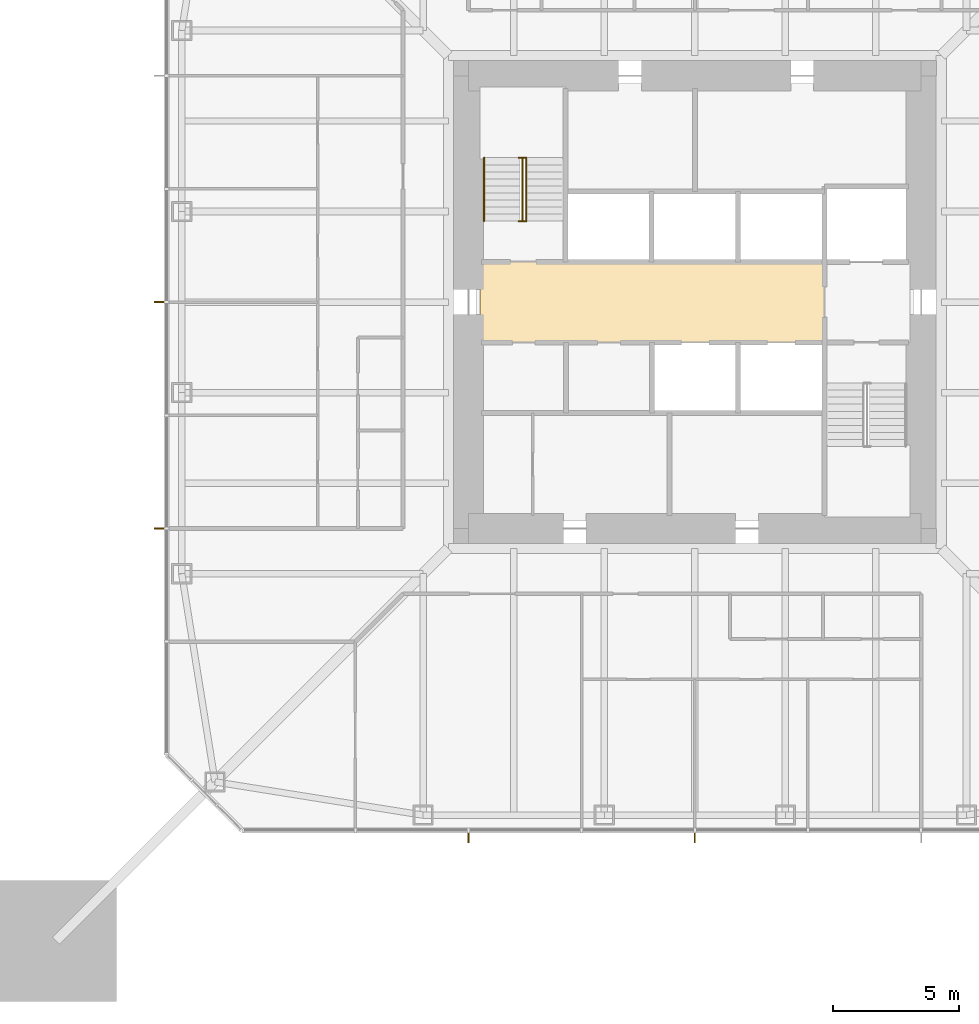
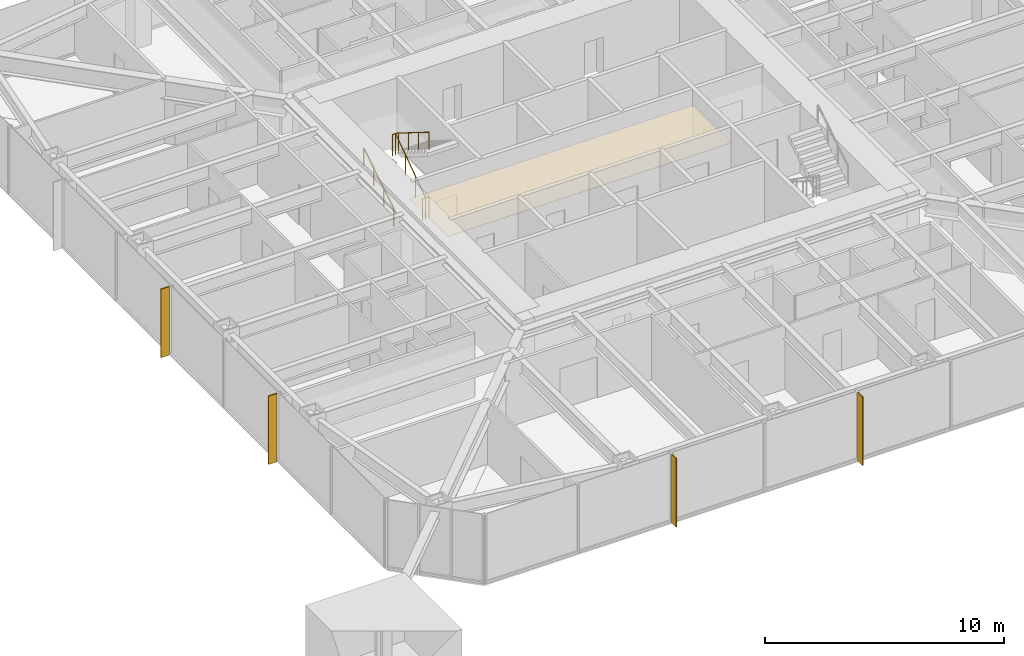
# One storey, part 21 of 25: 4 shading devices, 3 railings, 1 covering.
"""IFC4 building model written with IfcOpenShell, lengths in metres."""

from ifc_helpers import new_model, si_unit, direction, frame, origin, origin_2d, place, context, subcontext, project, spatial, polyline, rectangle, circle, outline, extrude, material, layer, layer_set, constituent, constituent_set, type_object, element, save


model = new_model("IFC4")

# Units and contexts
model_context = context("Model", 3, precision=1e-05, world=origin(), true_north=direction((0.0, 1.0)))
body_context = subcontext(model_context, "Body", "Model", "MODEL_VIEW")
ifc_project = project(units=[si_unit("LENGTHUNIT", "METRE"), si_unit("AREAUNIT", "SQUARE_METRE"), si_unit("VOLUMEUNIT", "CUBIC_METRE"), si_unit("PLANEANGLEUNIT", "RADIAN"), si_unit("MASSUNIT", "GRAM", prefix="KILO")], contexts=[model_context])

# Site, building, storey
site_placement = place(None, origin())
site = spatial("IfcSite", under=ifc_project, at=site_placement, CompositionType="ELEMENT")
building_placement = place(site_placement, origin())
building = spatial("IfcBuilding", under=site, at=building_placement, Name="Iwan Alto Co-Living Towers", CompositionType="ELEMENT")
storey_placement = place(building_placement, frame((0.0, 0.0, 112.0)))
storey = spatial("IfcBuildingStorey", under=building, at=storey_placement, Name="L30", CompositionType="ELEMENT", Elevation=112.0)

# Covering
ifc_material_1 = material(Name="Mineral fibre acoustic tiles on steel grid", Category="steel")
ifc_layer_1 = layer(ifc_material_1, 0.02001953125)
ifc_layer_set_1 = layer_set([ifc_layer_1], Name="ACOUSTIC TILE CEILING 20")
covering_type = type_object("IfcCoveringType", Name="ACOUSTIC TILE CEILING 20", PredefinedType="CEILING", material=ifc_layer_set_1)
covering_placement = place(storey_placement, frame((0.0, 0.0, 2.60009765625)))
element("IfcCovering", 1, at=covering_placement, inside=storey, type_object=covering_type, Name="Ceiling Lift lobby L30", PredefinedType="CEILING", context=body_context, shape_type="SweptSolid", body=[
    extrude(outline(polyline([(-8.550048828125, -1.60009765625), (-8.550048828125, 1.60009765625), (5.14990234375, 1.60009765625), (5.14990234375, -1.60009765625), (-8.550048828125, -1.60009765625)])), origin(), (0.0, 0.0, 1.0), 0.02001953125),
])

# Shading devices
ifc_material_2 = material(Name="Aluminium 6063-T6 bronze anodised", Category="aluminium")
ifc_layer_2 = layer(ifc_material_2, 0.050048828125)
ifc_layer_set_2 = layer_set([ifc_layer_2], Name="BRONZE FIN 50X400")
shading_device_type = type_object("IfcShadingDeviceType", Name="BRONZE FIN 50X400", PredefinedType="USERDEFINED", material=ifc_layer_set_2)
for number, where, z_axis, x_axis, name in (
    (2, (-9.0, -21.300048828125, 0.0), (0.0, 0.0, 1.0), (1.0, 0.0, 0.0), "Bronze fin L30"),
    (3, (0.0, -21.300048828125, 0.0), (0.0, 0.0, 1.0), (1.0, 0.0, 0.0), "Bronze fin L30"),
    (4, (-21.300048828125, 0.0, 0.0), (0.0, 0.0, 1.0), (0.0, -1.0, 0.0), "Bronze fin L30"),
    (5, (-21.300048828125, -9.0, 0.0), (0.0, 0.0, 1.0), (0.0, -1.0, 0.0), "Bronze fin L30"),
):
    element("IfcShadingDevice", number, at=place(storey_placement, frame(where, z_axis=z_axis, x_axis=x_axis)), inside=storey, type_object=shading_device_type, Name=name, ObjectType="LOUVER", PredefinedType="USERDEFINED", context=body_context, shape_type="SweptSolid", body=[
        extrude(rectangle(XDim=0.050048828125, YDim=0.39990234375, at=origin_2d()), origin(), (0.0, 0.0, 1.0), 3.5),
    ])

# Railings
ifc_material_3 = material(Name="Steel ASTM A500 Gr C", Category="steel")
ifc_constituent_1 = constituent(ifc_material_3, Name="Rails and posts", Category="Framing")
ifc_material_4 = material(Name="Steel ASTM A36", Category="steel")
ifc_constituent_2 = constituent(ifc_material_4, Name="Bar infill", Category="Infill")
ifc_constituent_set = constituent_set(constituents=[ifc_constituent_1, ifc_constituent_2], Name="STAIR GUARD 1100")
railing_type_1 = type_object("IfcRailingType", Name="STAIR GUARD 1100", PredefinedType="GUARDRAIL", material=ifc_constituent_set)
railing_1_placement = place(storey_placement, frame((-6.85009765625, 3.219970703125, 0.0)))
element("IfcRailing", 6, at=railing_1_placement, inside=storey, type_object=railing_type_1, Name="Stair T1-S1 well guard L30", PredefinedType="GUARDRAIL", context=body_context, shape_type="SweptSolid", body=[
    extrude(circle(Radius=0.02392578125, at=origin_2d()), frame((0.0, 0.0, 1.076171875), z_axis=(0.0, 0.821372036852, 0.570392826987), x_axis=(-1.0, 0.0, 0.0)), (0.0, 0.0, 1.0), 3.068115234375),
    extrude(circle(Radius=0.02392578125, at=origin_2d()), frame((-0.14990234375, 0.0, 1.076171875), z_axis=(1.0, 0.0, 0.0), x_axis=(0.0, 1.0, 0.0)), (0.0, 0.0, 1.0), 0.300048828125),
    extrude(circle(Radius=0.02392578125, at=origin_2d()), frame((-0.14990234375, 2.52001953125, 2.826171875), z_axis=(1.0, 0.0, 0.0), x_axis=(0.0, 1.0, 0.0)), (0.0, 0.0, 1.0), 0.300048828125),
    extrude(circle(Radius=0.02099609375, at=origin_2d()), origin(), (0.0, 0.0, 1.0), 1.052001953125),
    extrude(circle(Radius=0.02099609375, at=origin_2d()), frame((0.0, 0.840087890625, 0.583251953125)), (0.0, 0.0, 1.0), 1.052001953125),
    extrude(circle(Radius=0.02099609375, at=origin_2d()), frame((0.0, 1.679931640625, 1.166748046875)), (0.0, 0.0, 1.0), 1.052001953125),
    extrude(circle(Radius=0.02099609375, at=origin_2d()), frame((0.0, 2.52001953125, 1.75)), (0.0, 0.0, 1.0), 1.052001953125),
    extrude(circle(Radius=0.02099609375, at=origin_2d()), frame((-0.14990234375, 0.0, 0.0)), (0.0, 0.0, 1.0), 1.052001953125),
    extrude(circle(Radius=0.02099609375, at=origin_2d()), frame((0.150146484375, 0.0, 0.0)), (0.0, 0.0, 1.0), 1.052001953125),
    extrude(circle(Radius=0.02099609375, at=origin_2d()), frame((-0.14990234375, 2.52001953125, 1.75)), (0.0, 0.0, 1.0), 1.052001953125),
    extrude(circle(Radius=0.02099609375, at=origin_2d()), frame((0.150146484375, 2.52001953125, 1.75)), (0.0, 0.0, 1.0), 1.052001953125),
])
ifc_material_5 = material(Name="Steel ASTM A500 Gr C", Category="steel")
railing_type_2 = type_object("IfcRailingType", Name="STAIR HANDRAIL 900", PredefinedType="HANDRAIL", material=ifc_material_5)
railing_2_placement = place(storey_placement, frame((-8.3798828125, 3.219970703125, 0.175048828125)))
element("IfcRailing", 7, at=railing_2_placement, inside=storey, type_object=railing_type_2, Name="Stair T1-S1 handrail 1 L30", PredefinedType="HANDRAIL", context=body_context, shape_type="SweptSolid", body=[
    extrude(circle(Radius=0.02392578125, at=origin_2d()), frame((0.0, 0.0, 0.8759765625), z_axis=(0.0, 0.848007534815, 0.529984170421), x_axis=(-1.0, 0.0, 0.0)), (0.0, 0.0, 1.0), 2.9716796875),
    extrude(circle(Radius=0.02099609375, at=origin_2d()), origin(), (0.0, 0.0, 1.0), 0.851806640625),
    extrude(circle(Radius=0.02099609375, at=origin_2d()), frame((0.0, 0.840087890625, 0.52490234375)), (0.0, 0.0, 1.0), 0.851806640625),
    extrude(circle(Radius=0.02099609375, at=origin_2d()), frame((0.0, 1.679931640625, 1.050048828125)), (0.0, 0.0, 1.0), 0.851806640625),
    extrude(circle(Radius=0.02099609375, at=origin_2d()), frame((0.0, 2.52001953125, 1.574951171875)), (0.0, 0.0, 1.0), 0.851806640625),
])
railing_3_placement = place(storey_placement, frame((-6.699951171875, 5.739990234375, 1.925048828125)))
element("IfcRailing", 8, at=railing_3_placement, inside=storey, type_object=railing_type_2, Name="Stair T1-S1 handrail 2 L30", PredefinedType="HANDRAIL", context=body_context, shape_type="SweptSolid", body=[
    extrude(circle(Radius=0.02392578125, at=origin_2d()), frame((0.0, 0.0, 0.8759765625), z_axis=(0.0, -0.848007534815, 0.529984170421), x_axis=(1.0, 0.0, 0.0)), (0.0, 0.0, 1.0), 2.9716796875),
    extrude(circle(Radius=0.02099609375, at=origin_2d()), origin(), (0.0, 0.0, 1.0), 0.851806640625),
    extrude(circle(Radius=0.02099609375, at=origin_2d()), frame((0.0, -0.840087890625, 0.52490234375)), (0.0, 0.0, 1.0), 0.851806640625),
    extrude(circle(Radius=0.02099609375, at=origin_2d()), frame((0.0, -1.679931640625, 1.050048828125)), (0.0, 0.0, 1.0), 0.851806640625),
    extrude(circle(Radius=0.02099609375, at=origin_2d()), frame((0.0, -2.52001953125, 1.574951171875)), (0.0, 0.0, 1.0), 0.851806640625),
])

save(model, "model.ifc")
